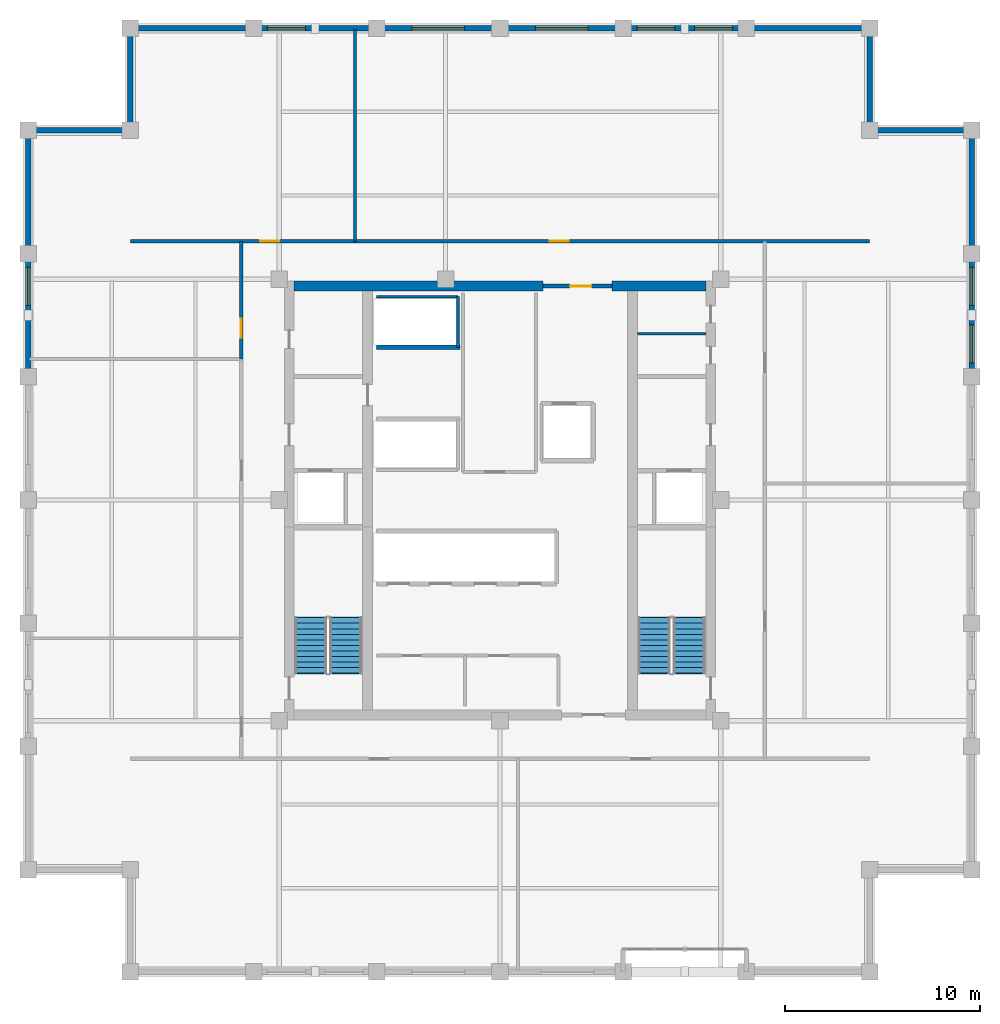
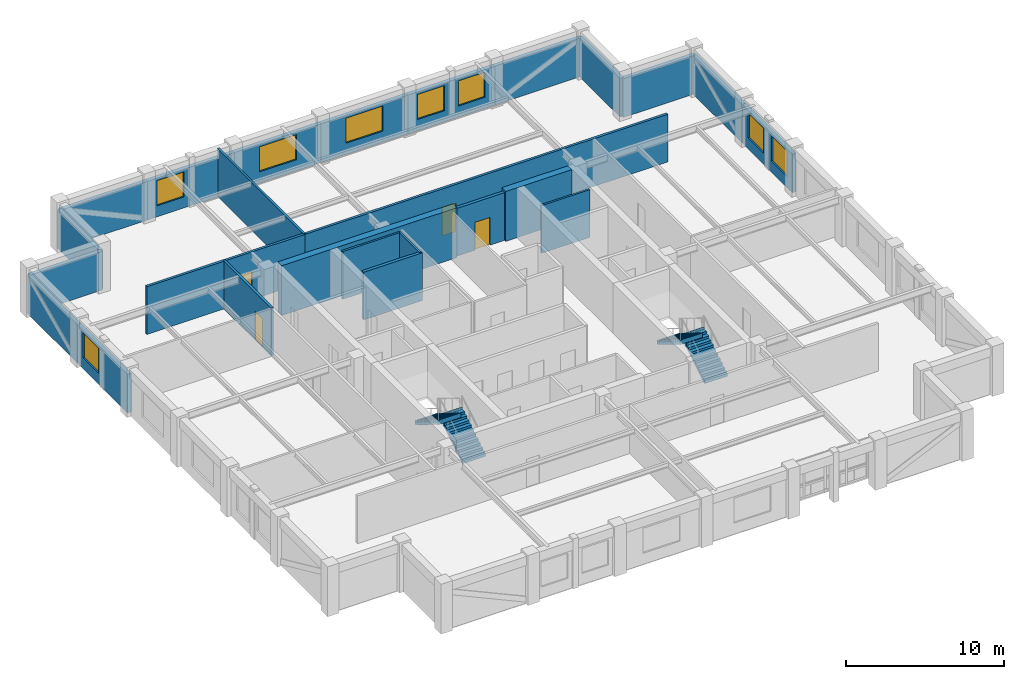
# One storey, part 8 of 10: 25 walls, 8 windows, 4 doors, 4 stair flights, 12 openings, 2 elements without a shape of their own.
"""IFC4 building model written with IfcOpenShell, lengths in metres."""

from ifc_helpers import new_model, si_unit, direction, frame, frame_2d, origin, place, context, subcontext, project, spatial, polyline, rectangle, outline, extrude, material, layer, layer_set, type_object, element, fill, aggregate, save


model = new_model("IFC4")

# Units and contexts
model_context = context("Model", 3, precision=1e-05, world=origin(), true_north=direction((0.0, 1.0)))
body_context = subcontext(model_context, "Body", "Model", "MODEL_VIEW")
ifc_project = project(units=[si_unit("LENGTHUNIT", "METRE"), si_unit("AREAUNIT", "SQUARE_METRE"), si_unit("VOLUMEUNIT", "CUBIC_METRE"), si_unit("PLANEANGLEUNIT", "RADIAN"), si_unit("MASSUNIT", "GRAM", prefix="KILO")], contexts=[model_context])

# Site, building, storey
site_placement = place(None, origin())
site = spatial("IfcSite", under=ifc_project, at=site_placement, CompositionType="ELEMENT")
building_placement = place(site_placement, origin())
building = spatial("IfcBuilding", under=site, at=building_placement, Name="Nhamokura Convention Tower", CompositionType="ELEMENT")
storey_placement = place(building_placement, frame((0.0, 0.0, 210.0)))
storey = spatial("IfcBuildingStorey", under=building, at=storey_placement, Name="L51", CompositionType="ELEMENT", Elevation=210.0)

# Walls
ifc_material_1 = material(Name="Moisture-resistant tile-backer partition", Category="masonry")
ifc_layer_1 = layer(ifc_material_1, 0.139892578125)
ifc_layer_set_1 = layer_set([ifc_layer_1], Name="BathroomWetWall_140")
wall_type_1 = type_object("IfcWallType", Name="BathroomWetWall_140", PredefinedType="STANDARD", material=ifc_layer_set_1)
wall_1_placement = place(storey_placement, frame((39.06005859375, 40.550048828125, 0.0), z_axis=(0.0, 0.0, 1.0), x_axis=(1.0, 0.0, 0.0)))
element("IfcWall", 1, at=wall_1_placement, inside=storey, type_object=wall_type_1, Name="L51 Wall INT-L51-CWNE", PredefinedType="STANDARD", context=body_context, shape_type="SweptSolid", body=[
    extrude(rectangle(XDim=3.530029296875, YDim=0.139892578125, at=frame_2d((1.76513671875, 0.0))), origin(), (0.0, 0.0, 1.0), 3.68505859375),
])
ifc_material_2 = material(Name="Bronze-pigmented precast concrete C45/55", Category="concrete")
ifc_layer_2 = layer(ifc_material_2, 0.280029296875)
ifc_layer_set_2 = layer_set([ifc_layer_2], Name="BronzePrecastSpandrel_280")
wall_type_2 = type_object("IfcWallType", Name="BronzePrecastSpandrel_280", PredefinedType="USERDEFINED", material=ifc_layer_set_2)
wall_2_placement = place(storey_placement, frame((13.0, 56.25, 0.0), z_axis=(0.0, 0.0, 1.0), x_axis=(1.0, 0.0, 0.0)))
element("IfcWall", 2, at=wall_2_placement, inside=storey, type_object=wall_type_2, Name="L51 Braced-Bay Precast Wall NORTH 0", ObjectType="SPANDREL_WALL", PredefinedType="USERDEFINED", context=body_context, shape_type="SweptSolid", body=[
    extrude(rectangle(XDim=6.333251953125, YDim=0.280029296875, at=frame_2d((3.16650390625, 0.0))), origin(), (0.0, 0.0, 1.0), 2.985107421875),
])

# Wall, opening, window
wall_3_placement = place(storey_placement, frame((19.333251953125, 56.25, 0.0), z_axis=(0.0, 0.0, 1.0), x_axis=(1.0, 0.0, 0.0)))
wall_3 = element("IfcWall", 3, at=wall_3_placement, inside=storey, type_object=wall_type_2, Name="L51 Masonry-Frame Wall NORTH 1", ObjectType="SPANDREL_WALL", PredefinedType="USERDEFINED", context=body_context, shape_type="SweptSolid", body=[
    extrude(rectangle(XDim=6.33349609375, YDim=0.280029296875, at=frame_2d((3.166748046875, 0.0))), origin(), (0.0, 0.0, 1.0), 2.985107421875),
])
opening_1_placement = place(wall_3_placement, frame((0.708251953125, 0.0, 0.85009765625)))
opening_1 = element("IfcOpeningElement", 4, at=opening_1_placement, cuts=wall_3, Name="Opening W-08", PredefinedType="OPENING", context=body_context, shape_type="SweptSolid", body=[
    extrude(rectangle(XDim=1.949951171875, YDim=1.93505859375, at=frame_2d((0.97509765625, 0.967529296875))), frame((0.0, 0.14990234375, 0.0), z_axis=(0.0, -1.0, 0.0), x_axis=(1.0, 0.0, 0.0)), (0.0, 0.0, 1.0), 0.300048828125),
])
ifc_material_3 = material(Name="Solar-control bronze low-E double glass", Category="glass")
window_type_1 = type_object("IfcWindowType", Name="OfficeModuleWindow_Z3_1950", PartitioningType="SINGLE_PANEL", PredefinedType="WINDOW", material=ifc_material_3)
window_1_placement = place(opening_1_placement, origin())
window_1 = element("IfcWindow", 5, at=window_1_placement, inside=storey, type_object=window_type_1, Name="L51 Facade Window NORTH 1-1", OverallHeight=1.93505859375, OverallWidth=1.949951171875, PartitioningType="SINGLE_PANEL", PredefinedType="WINDOW", context=body_context, shape_type="SweptSolid", body=[
    extrude(rectangle(XDim=1.949951171875, YDim=1.93505859375, at=frame_2d((0.97509765625, 0.967529296875))), frame((0.0, 0.030029296875, 0.0), z_axis=(0.0, -1.0, 0.0), x_axis=(1.0, 0.0, 0.0)), (0.0, 0.0, 1.0), 0.06005859375),
])
fill(opening_1, window_1)

wall_4_placement = place(storey_placement, frame((25.666748046875, 56.25, 0.0), z_axis=(0.0, 0.0, 1.0), x_axis=(1.0, 0.0, 0.0)))
wall_4 = element("IfcWall", 6, at=wall_4_placement, inside=storey, type_object=wall_type_2, Name="L51 Masonry-Frame Wall NORTH 2", ObjectType="SPANDREL_WALL", PredefinedType="USERDEFINED", context=body_context, shape_type="SweptSolid", body=[
    extrude(rectangle(XDim=6.333251953125, YDim=0.280029296875, at=frame_2d((3.16650390625, 0.0))), origin(), (0.0, 0.0, 1.0), 2.985107421875),
])
opening_2_placement = place(wall_4_placement, frame((1.816650390625, 0.0, 0.85009765625)))
opening_2 = element("IfcOpeningElement", 7, at=opening_2_placement, cuts=wall_4, Name="Opening W-07", PredefinedType="OPENING", context=body_context, shape_type="SweptSolid", body=[
    extrude(rectangle(XDim=2.699951171875, YDim=1.93505859375, at=frame_2d((1.35009765625, 0.967529296875))), frame((0.0, 0.14990234375, 0.0), z_axis=(0.0, -1.0, 0.0), x_axis=(1.0, 0.0, 0.0)), (0.0, 0.0, 1.0), 0.300048828125),
])
ifc_material_4 = material(Name="Solar-control bronze low-E double glass", Category="glass")
window_type_2 = type_object("IfcWindowType", Name="OfficeModuleWindow_Z3_2700", PartitioningType="DOUBLE_PANEL_VERTICAL", PredefinedType="WINDOW", material=ifc_material_4)
window_2_placement = place(opening_2_placement, origin())
window_2 = element("IfcWindow", 8, at=window_2_placement, inside=storey, type_object=window_type_2, Name="L51 Facade Window NORTH 2", OverallHeight=1.93505859375, OverallWidth=2.699951171875, PartitioningType="SINGLE_PANEL", PredefinedType="WINDOW", context=body_context, shape_type="SweptSolid", body=[
    extrude(rectangle(XDim=2.699951171875, YDim=1.93505859375, at=frame_2d((1.35009765625, 0.967529296875))), frame((0.0, 0.030029296875, 0.0), z_axis=(0.0, -1.0, 0.0), x_axis=(1.0, 0.0, 0.0)), (0.0, 0.0, 1.0), 0.06005859375),
])
fill(opening_2, window_2)

wall_5_placement = place(storey_placement, frame((32.0, 56.25, 0.0), z_axis=(0.0, 0.0, 1.0), x_axis=(1.0, 0.0, 0.0)))
wall_5 = element("IfcWall", 9, at=wall_5_placement, inside=storey, type_object=wall_type_2, Name="L51 Masonry-Frame Wall NORTH 3", ObjectType="SPANDREL_WALL", PredefinedType="USERDEFINED", context=body_context, shape_type="SweptSolid", body=[
    extrude(rectangle(XDim=6.333251953125, YDim=0.280029296875, at=frame_2d((3.16650390625, 0.0))), origin(), (0.0, 0.0, 1.0), 2.985107421875),
])
opening_3_placement = place(wall_5_placement, frame((1.816650390625, 0.0, 0.85009765625)))
opening_3 = element("IfcOpeningElement", 10, at=opening_3_placement, cuts=wall_5, Name="Opening W-07", PredefinedType="OPENING", context=body_context, shape_type="SweptSolid", body=[
    extrude(rectangle(XDim=2.699951171875, YDim=1.93505859375, at=frame_2d((1.35009765625, 0.967529296875))), frame((0.0, 0.14990234375, 0.0), z_axis=(0.0, -1.0, 0.0), x_axis=(1.0, 0.0, 0.0)), (0.0, 0.0, 1.0), 0.300048828125),
])
window_3_placement = place(opening_3_placement, origin())
window_3 = element("IfcWindow", 11, at=window_3_placement, inside=storey, type_object=window_type_2, Name="L51 Facade Window NORTH 3", OverallHeight=1.93505859375, OverallWidth=2.699951171875, PartitioningType="SINGLE_PANEL", PredefinedType="WINDOW", context=body_context, shape_type="SweptSolid", body=[
    extrude(rectangle(XDim=2.699951171875, YDim=1.93505859375, at=frame_2d((1.35009765625, 0.967529296875))), frame((0.0, 0.030029296875, 0.0), z_axis=(0.0, -1.0, 0.0), x_axis=(1.0, 0.0, 0.0)), (0.0, 0.0, 1.0), 0.06005859375),
])
fill(opening_3, window_3)

# Wall, openings, windows
wall_6_placement = place(storey_placement, frame((38.333251953125, 56.25, 0.0), z_axis=(0.0, 0.0, 1.0), x_axis=(1.0, 0.0, 0.0)))
wall_6 = element("IfcWall", 12, at=wall_6_placement, inside=storey, type_object=wall_type_2, Name="L51 Masonry-Frame Wall NORTH 4", ObjectType="SPANDREL_WALL", PredefinedType="USERDEFINED", context=body_context, shape_type="SweptSolid", body=[
    extrude(rectangle(XDim=6.33349609375, YDim=0.280029296875, at=frame_2d((3.166748046875, 0.0))), origin(), (0.0, 0.0, 1.0), 2.985107421875),
])
opening_4_placement = place(wall_6_placement, frame((0.708251953125, 0.0, 0.85009765625)))
opening_4 = element("IfcOpeningElement", 13, at=opening_4_placement, cuts=wall_6, Name="Opening W-08", PredefinedType="OPENING", context=body_context, shape_type="SweptSolid", body=[
    extrude(rectangle(XDim=1.949951171875, YDim=1.93505859375, at=frame_2d((0.97509765625, 0.967529296875))), frame((0.0, 0.14990234375, 0.0), z_axis=(0.0, -1.0, 0.0), x_axis=(1.0, 0.0, 0.0)), (0.0, 0.0, 1.0), 0.300048828125),
])
opening_5_placement = place(wall_6_placement, frame((3.675048828125, 0.0, 0.85009765625)))
opening_5 = element("IfcOpeningElement", 14, at=opening_5_placement, cuts=wall_6, Name="Opening W-08", PredefinedType="OPENING", context=body_context, shape_type="SweptSolid", body=[
    extrude(rectangle(XDim=1.949951171875, YDim=1.93505859375, at=frame_2d((0.97509765625, 0.967529296875))), frame((0.0, 0.14990234375, 0.0), z_axis=(0.0, -1.0, 0.0), x_axis=(1.0, 0.0, 0.0)), (0.0, 0.0, 1.0), 0.300048828125),
])
window_4_placement = place(opening_4_placement, origin())
window_4 = element("IfcWindow", 15, at=window_4_placement, inside=storey, type_object=window_type_1, Name="L51 Facade Window NORTH 4-1", OverallHeight=1.93505859375, OverallWidth=1.949951171875, PartitioningType="SINGLE_PANEL", PredefinedType="WINDOW", context=body_context, shape_type="SweptSolid", body=[
    extrude(rectangle(XDim=1.949951171875, YDim=1.93505859375, at=frame_2d((0.97509765625, 0.967529296875))), frame((0.0, 0.030029296875, 0.0), z_axis=(0.0, -1.0, 0.0), x_axis=(1.0, 0.0, 0.0)), (0.0, 0.0, 1.0), 0.06005859375),
])
fill(opening_4, window_4)
window_5_placement = place(opening_5_placement, origin())
window_5 = element("IfcWindow", 16, at=window_5_placement, inside=storey, type_object=window_type_1, Name="L51 Facade Window NORTH 4-2", OverallHeight=1.93505859375, OverallWidth=1.949951171875, PartitioningType="SINGLE_PANEL", PredefinedType="WINDOW", context=body_context, shape_type="SweptSolid", body=[
    extrude(rectangle(XDim=1.949951171875, YDim=1.93505859375, at=frame_2d((0.97509765625, 0.967529296875))), frame((0.0, 0.030029296875, 0.0), z_axis=(0.0, -1.0, 0.0), x_axis=(1.0, 0.0, 0.0)), (0.0, 0.0, 1.0), 0.06005859375),
])
fill(opening_5, window_5)

# Wall
wall_7_placement = place(storey_placement, frame((44.666748046875, 56.25, 0.0), z_axis=(0.0, 0.0, 1.0), x_axis=(1.0, 0.0, 0.0)))
element("IfcWall", 17, at=wall_7_placement, inside=storey, type_object=wall_type_2, Name="L51 Braced-Bay Precast Wall NORTH 5", ObjectType="SPANDREL_WALL", PredefinedType="USERDEFINED", context=body_context, shape_type="SweptSolid", body=[
    extrude(rectangle(XDim=6.333251953125, YDim=0.280029296875, at=frame_2d((3.16650390625, 0.0))), origin(), (0.0, 0.0, 1.0), 2.985107421875),
])

# Wall, opening, window
wall_8_placement = place(storey_placement, frame((7.75, 38.333251953125, 0.0), z_axis=(0.0, 0.0, 1.0), x_axis=(0.0, 1.0, 0.0)))
wall_8 = element("IfcWall", 18, at=wall_8_placement, inside=storey, type_object=wall_type_2, Name="L51 Masonry-Frame Wall WEST 4", ObjectType="SPANDREL_WALL", PredefinedType="USERDEFINED", context=body_context, shape_type="SweptSolid", body=[
    extrude(rectangle(XDim=6.33349609375, YDim=0.280029296875, at=frame_2d((3.166748046875, 0.0))), origin(), (0.0, 0.0, 1.0), 2.985107421875),
])
opening_6_placement = place(wall_8_placement, frame((3.675048828125, 0.0, 0.85009765625)))
opening_6 = element("IfcOpeningElement", 19, at=opening_6_placement, cuts=wall_8, Name="Opening W-08", PredefinedType="OPENING", context=body_context, shape_type="SweptSolid", body=[
    extrude(rectangle(XDim=1.949951171875, YDim=1.93505859375, at=frame_2d((0.97509765625, 0.967529296875))), frame((0.0, 0.14990234375, 0.0), z_axis=(0.0, -1.0, 0.0), x_axis=(1.0, 0.0, 0.0)), (0.0, 0.0, 1.0), 0.300048828125),
])
window_6_placement = place(opening_6_placement, origin())
window_6 = element("IfcWindow", 20, at=window_6_placement, inside=storey, type_object=window_type_1, Name="L51 Facade Window WEST 4-2", OverallHeight=1.93505859375, OverallWidth=1.949951171875, PartitioningType="SINGLE_PANEL", PredefinedType="WINDOW", context=body_context, shape_type="SweptSolid", body=[
    extrude(rectangle(XDim=1.949951171875, YDim=1.93505859375, at=frame_2d((0.97509765625, 0.967529296875))), frame((0.0, 0.030029296875, 0.0), z_axis=(0.0, -1.0, 0.0), x_axis=(1.0, 0.0, 0.0)), (0.0, 0.0, 1.0), 0.06005859375),
])
fill(opening_6, window_6)

# Wall
wall_9_placement = place(storey_placement, frame((7.75, 44.666748046875, 0.0), z_axis=(0.0, 0.0, 1.0), x_axis=(0.0, 1.0, 0.0)))
element("IfcWall", 21, at=wall_9_placement, inside=storey, type_object=wall_type_2, Name="L51 Braced-Bay Precast Wall WEST 5", ObjectType="SPANDREL_WALL", PredefinedType="USERDEFINED", context=body_context, shape_type="SweptSolid", body=[
    extrude(rectangle(XDim=6.333251953125, YDim=0.280029296875, at=frame_2d((3.16650390625, 0.0))), origin(), (0.0, 0.0, 1.0), 2.985107421875),
])

# Wall, openings, windows
wall_10_placement = place(storey_placement, frame((56.25, 44.666748046875, 0.0), z_axis=(0.0, 0.0, 1.0), x_axis=(0.0, -1.0, 0.0)))
wall_10 = element("IfcWall", 22, at=wall_10_placement, inside=storey, type_object=wall_type_2, Name="L51 Masonry-Frame Wall EAST 4", ObjectType="SPANDREL_WALL", PredefinedType="USERDEFINED", context=body_context, shape_type="SweptSolid", body=[
    extrude(rectangle(XDim=6.33349609375, YDim=0.280029296875, at=frame_2d((3.166748046875, 0.0))), origin(), (0.0, 0.0, 1.0), 2.985107421875),
])
opening_7_placement = place(wall_10_placement, frame((0.708251953125, 0.0, 0.85009765625)))
opening_7 = element("IfcOpeningElement", 23, at=opening_7_placement, cuts=wall_10, Name="Opening W-08", PredefinedType="OPENING", context=body_context, shape_type="SweptSolid", body=[
    extrude(rectangle(XDim=1.949951171875, YDim=1.93505859375, at=frame_2d((0.97509765625, 0.967529296875))), frame((0.0, 0.14990234375, 0.0), z_axis=(0.0, -1.0, 0.0), x_axis=(1.0, 0.0, 0.0)), (0.0, 0.0, 1.0), 0.300048828125),
])
opening_8_placement = place(wall_10_placement, frame((3.675048828125, 0.0, 0.85009765625)))
opening_8 = element("IfcOpeningElement", 24, at=opening_8_placement, cuts=wall_10, Name="Opening W-08", PredefinedType="OPENING", context=body_context, shape_type="SweptSolid", body=[
    extrude(rectangle(XDim=1.949951171875, YDim=1.93505859375, at=frame_2d((0.97509765625, 0.967529296875))), frame((0.0, 0.14990234375, 0.0), z_axis=(0.0, -1.0, 0.0), x_axis=(1.0, 0.0, 0.0)), (0.0, 0.0, 1.0), 0.300048828125),
])
window_7_placement = place(opening_7_placement, origin())
window_7 = element("IfcWindow", 25, at=window_7_placement, inside=storey, type_object=window_type_1, Name="L51 Facade Window EAST 4-1", OverallHeight=1.93505859375, OverallWidth=1.949951171875, PartitioningType="SINGLE_PANEL", PredefinedType="WINDOW", context=body_context, shape_type="SweptSolid", body=[
    extrude(rectangle(XDim=1.949951171875, YDim=1.93505859375, at=frame_2d((0.97509765625, 0.967529296875))), frame((0.0, 0.030029296875, 0.0), z_axis=(0.0, -1.0, 0.0), x_axis=(1.0, 0.0, 0.0)), (0.0, 0.0, 1.0), 0.06005859375),
])
fill(opening_7, window_7)
window_8_placement = place(opening_8_placement, origin())
window_8 = element("IfcWindow", 26, at=window_8_placement, inside=storey, type_object=window_type_1, Name="L51 Facade Window EAST 4-2", OverallHeight=1.93505859375, OverallWidth=1.949951171875, PartitioningType="SINGLE_PANEL", PredefinedType="WINDOW", context=body_context, shape_type="SweptSolid", body=[
    extrude(rectangle(XDim=1.949951171875, YDim=1.93505859375, at=frame_2d((0.97509765625, 0.967529296875))), frame((0.0, 0.030029296875, 0.0), z_axis=(0.0, -1.0, 0.0), x_axis=(1.0, 0.0, 0.0)), (0.0, 0.0, 1.0), 0.06005859375),
])
fill(opening_8, window_8)

# Walls
wall_11_placement = place(storey_placement, frame((56.25, 51.0, 0.0), z_axis=(0.0, 0.0, 1.0), x_axis=(0.0, -1.0, 0.0)))
element("IfcWall", 27, at=wall_11_placement, inside=storey, type_object=wall_type_2, Name="L51 Braced-Bay Precast Wall EAST 5", ObjectType="SPANDREL_WALL", PredefinedType="USERDEFINED", context=body_context, shape_type="SweptSolid", body=[
    extrude(rectangle(XDim=6.333251953125, YDim=0.280029296875, at=frame_2d((3.16650390625, 0.0))), origin(), (0.0, 0.0, 1.0), 2.985107421875),
])
for number, where, z_axis, x_axis, name in (
    (28, (51.0, 51.0, 0.0), (0.0, 0.0, 1.0), (1.0, 0.0, 0.0), "L51 Notched Corner Wall NE1"),
    (29, (51.0, 56.25, 0.0), (0.0, 0.0, 1.0), (0.0, -1.0, 0.0), "L51 Notched Corner Wall NE2"),
    (30, (13.0, 51.0, 0.0), (0.0, 0.0, 1.0), (0.0, 1.0, 0.0), "L51 Notched Corner Wall NW1"),
    (31, (7.75, 51.0, 0.0), (0.0, 0.0, 1.0), (1.0, 0.0, 0.0), "L51 Notched Corner Wall NW2"),
):
    element("IfcWall", number, at=place(storey_placement, frame(where, z_axis=z_axis, x_axis=x_axis)), inside=storey, type_object=wall_type_2, Name=name, ObjectType="SPANDREL_WALL", PredefinedType="USERDEFINED", context=body_context, shape_type="SweptSolid", body=[
        extrude(rectangle(XDim=5.25, YDim=0.280029296875, at=frame_2d((2.625, 0.0))), origin(), (0.0, 0.0, 1.0), 2.985107421875),
    ])
ifc_material_5 = material(Name="Concrete C60/75", Category="concrete")
ifc_layer_3 = layer(ifc_material_5, 0.5)
ifc_layer_set_3 = layer_set([ifc_layer_3], Name="CoreShearWall_500")
wall_type_3 = type_object("IfcWallType", Name="CoreShearWall_500", PredefinedType="SHEAR", material=ifc_layer_set_3)
wall_12_placement = place(storey_placement, frame((21.409912109375, 43.0, 0.0), z_axis=(0.0, 0.0, 1.0), x_axis=(1.0, 0.0, 0.0)))
element("IfcWall", 32, at=wall_12_placement, inside=storey, type_object=wall_type_3, Name="L51 Core Shear Wall CW-N1", PredefinedType="SHEAR", context=body_context, shape_type="SweptSolid", body=[
    extrude(rectangle(XDim=12.7900390625, YDim=0.5, at=frame_2d((6.39501953125, 0.0))), origin(), (0.0, 0.0, 1.0), 3.85009765625),
])
wall_13_placement = place(storey_placement, frame((37.75, 43.0, 0.0), z_axis=(0.0, 0.0, 1.0), x_axis=(1.0, 0.0, 0.0)))
element("IfcWall", 33, at=wall_13_placement, inside=storey, type_object=wall_type_3, Name="L51 Core Shear Wall CW-N2", PredefinedType="SHEAR", context=body_context, shape_type="SweptSolid", body=[
    extrude(rectangle(XDim=4.840087890625, YDim=0.5, at=frame_2d((2.419921875, 0.0))), origin(), (0.0, 0.0, 1.0), 3.85009765625),
])

# Wall, opening, door
ifc_material_6 = material(Name="Fire-rated gypsum and masonry partition", Category="masonry")
ifc_layer_4 = layer(ifc_material_6, 0.179931640625)
ifc_layer_set_4 = layer_set([ifc_layer_4], Name="CorridorRatedWall_180")
wall_type_4 = type_object("IfcWallType", Name="CorridorRatedWall_180", PredefinedType="STANDARD", material=ifc_layer_set_4)
wall_14_placement = place(storey_placement, frame((13.0, 45.300048828125, 0.0), z_axis=(0.0, 0.0, 1.0), x_axis=(1.0, 0.0, 0.0)))
wall_14 = element("IfcWall", 34, at=wall_14_placement, inside=storey, type_object=wall_type_4, Name="L51 Wall INT-L51-CW-N00", PredefinedType="STANDARD", context=body_context, shape_type="SweptSolid", body=[
    extrude(rectangle(XDim=11.541748046875, YDim=0.179931640625, at=frame_2d((5.77099609375, 0.0))), origin(), (0.0, 0.0, 1.0), 3.68505859375),
])
opening_9_placement = place(wall_14_placement, frame((6.6708984375, 0.0, 0.0)))
opening_9 = element("IfcOpeningElement", 35, at=opening_9_placement, cuts=wall_14, Name="Opening D-08", PredefinedType="OPENING", context=body_context, shape_type="SweptSolid", body=[
    extrude(rectangle(XDim=0.97998046875, YDim=2.199951171875, at=frame_2d((0.489990234375, 1.10009765625))), frame((0.0, 0.099853515625, 0.0), z_axis=(0.0, -1.0, 0.0), x_axis=(1.0, 0.0, 0.0)), (0.0, 0.0, 1.0), 0.199951171875),
])
ifc_material_7 = material(Name="Solid oak hardwood", Category="wood")
door_type_1 = type_object("IfcDoorType", Name="OfficeEntryDoor_980", OperationType="NOTDEFINED", PredefinedType="DOOR", material=ifc_material_7)
door_1_placement = place(opening_9_placement, origin())
door_1 = element("IfcDoor", 36, at=door_1_placement, inside=storey, type_object=door_type_1, Name="L51 Exhibition Gallery N01 Door", OperationType="SINGLE_SWING_LEFT", OverallHeight=2.199951171875, OverallWidth=0.97998046875, PredefinedType="DOOR", context=body_context, shape_type="SweptSolid", body=[
    extrude(rectangle(XDim=0.97998046875, YDim=2.199951171875, at=frame_2d((0.489990234375, 1.10009765625))), frame((0.0, 0.02490234375, 0.0), z_axis=(0.0, -1.0, 0.0), x_axis=(1.0, 0.0, 0.0)), (0.0, 0.0, 1.0), 0.050048828125),
])
fill(opening_9, door_1)

wall_15_placement = place(storey_placement, frame((24.541748046875, 45.300048828125, 0.0), z_axis=(0.0, 0.0, 1.0), x_axis=(1.0, 0.0, 0.0)))
wall_15 = element("IfcWall", 37, at=wall_15_placement, inside=storey, type_object=wall_type_4, Name="L51 Wall INT-L51-CW-N01", PredefinedType="STANDARD", context=body_context, shape_type="SweptSolid", body=[
    extrude(rectangle(XDim=26.458251953125, YDim=0.179931640625, at=frame_2d((13.22900390625, 0.0))), origin(), (0.0, 0.0, 1.0), 3.68505859375),
])
opening_10_placement = place(wall_15_placement, frame((10.004150390625, 0.0, 0.0)))
opening_10 = element("IfcOpeningElement", 38, at=opening_10_placement, cuts=wall_15, Name="Opening D-08", PredefinedType="OPENING", context=body_context, shape_type="SweptSolid", body=[
    extrude(rectangle(XDim=0.97998046875, YDim=2.199951171875, at=frame_2d((0.489990234375, 1.10009765625))), frame((0.0, 0.099853515625, 0.0), z_axis=(0.0, -1.0, 0.0), x_axis=(1.0, 0.0, 0.0)), (0.0, 0.0, 1.0), 0.199951171875),
])
door_2_placement = place(opening_10_placement, origin())
door_2 = element("IfcDoor", 39, at=door_2_placement, inside=storey, type_object=door_type_1, Name="L51 Exhibition Gallery N02 Door", OperationType="SINGLE_SWING_RIGHT", OverallHeight=2.199951171875, OverallWidth=0.97998046875, PredefinedType="DOOR", context=body_context, shape_type="SweptSolid", body=[
    extrude(rectangle(XDim=0.97998046875, YDim=2.199951171875, at=frame_2d((0.489990234375, 1.10009765625))), frame((0.0, 0.02490234375, 0.0), z_axis=(0.0, -1.0, 0.0), x_axis=(1.0, 0.0, 0.0)), (0.0, 0.0, 1.0), 0.050048828125),
])
fill(opening_10, door_2)

wall_16_placement = place(storey_placement, frame((18.699951171875, 39.25830078125, 0.0), z_axis=(0.0, 0.0, 1.0), x_axis=(0.0, 1.0, 0.0)))
wall_16 = element("IfcWall", 40, at=wall_16_placement, inside=storey, type_object=wall_type_4, Name="L51 Wall INT-L51-CW-W02", PredefinedType="STANDARD", context=body_context, shape_type="SweptSolid", body=[
    extrude(rectangle(XDim=6.041748046875, YDim=0.179931640625, at=frame_2d((3.02099609375, 0.0))), origin(), (0.0, 0.0, 1.0), 3.68505859375),
])
opening_11_placement = place(wall_16_placement, frame((1.07080078125, 0.0, 0.0)))
opening_11 = element("IfcOpeningElement", 41, at=opening_11_placement, cuts=wall_16, Name="Opening D-08", PredefinedType="OPENING", context=body_context, shape_type="SweptSolid", body=[
    extrude(rectangle(XDim=0.97998046875, YDim=2.199951171875, at=frame_2d((0.489990234375, 1.10009765625))), frame((0.0, 0.099853515625, 0.0), z_axis=(0.0, -1.0, 0.0), x_axis=(1.0, 0.0, 0.0)), (0.0, 0.0, 1.0), 0.199951171875),
])
door_3_placement = place(opening_11_placement, origin())
door_3 = element("IfcDoor", 42, at=door_3_placement, inside=storey, type_object=door_type_1, Name="L51 Materials Library W03 Door", OperationType="SINGLE_SWING_LEFT", OverallHeight=2.199951171875, OverallWidth=0.97998046875, PredefinedType="DOOR", context=body_context, shape_type="SweptSolid", body=[
    extrude(rectangle(XDim=0.97998046875, YDim=2.199951171875, at=frame_2d((0.489990234375, 1.10009765625))), frame((0.0, 0.02490234375, 0.0), z_axis=(0.0, -1.0, 0.0), x_axis=(1.0, 0.0, 0.0)), (0.0, 0.0, 1.0), 0.050048828125),
])
fill(opening_11, door_3)

# Wall
ifc_material_8 = material(Name="Autoclaved concrete blockwork", Category="masonry")
ifc_layer_5 = layer(ifc_material_8, 0.219970703125)
ifc_layer_set_5 = layer_set([ifc_layer_5], Name="FireLobbyWall_220")
wall_type_5 = type_object("IfcWallType", Name="FireLobbyWall_220", PredefinedType="STANDARD", material=ifc_layer_set_5)
wall_17_placement = place(storey_placement, frame((25.64990234375, 39.85009765625, 0.0), z_axis=(0.0, 0.0, 1.0), x_axis=(1.0, 0.0, 0.0)))
element("IfcWall", 43, at=wall_17_placement, inside=storey, type_object=wall_type_5, Name="L51 Wall INT-L51-B3N", PredefinedType="STANDARD", context=body_context, shape_type="SweptSolid", body=[
    extrude(rectangle(XDim=4.300048828125, YDim=0.219970703125, at=frame_2d((2.14990234375, 0.0))), origin(), (0.0, 0.0, 1.0), 3.68505859375),
])

# Wall, opening, door
wall_18_placement = place(storey_placement, frame((34.199951171875, 43.0, 0.0), z_axis=(0.0, 0.0, 1.0), x_axis=(1.0, 0.0, 0.0)))
wall_18 = element("IfcWall", 44, at=wall_18_placement, inside=storey, type_object=wall_type_5, Name="L51 Wall INT-L51-CPORT-N", PredefinedType="STANDARD", context=body_context, shape_type="SweptSolid", body=[
    extrude(rectangle(XDim=3.550048828125, YDim=0.219970703125, at=frame_2d((1.77490234375, 0.0))), origin(), (0.0, 0.0, 1.0), 3.68505859375),
])
opening_12_placement = place(wall_18_placement, frame((1.39990234375, 0.0, 0.0)))
opening_12 = element("IfcOpeningElement", 45, at=opening_12_placement, cuts=wall_18, Name="Opening D-05", PredefinedType="OPENING", context=body_context, shape_type="SweptSolid", body=[
    extrude(rectangle(XDim=1.10009765625, YDim=2.14990234375, at=frame_2d((0.550048828125, 1.074951171875))), frame((0.0, 0.119873046875, 0.0), z_axis=(0.0, -1.0, 0.0), x_axis=(1.0, 0.0, 0.0)), (0.0, 0.0, 1.0), 0.239990234375),
])
ifc_material_9 = material(Name="Fire-rated steel door", Category="steel")
door_type_2 = type_object("IfcDoorType", Name="FireLobbyDoor_1100", OperationType="NOTDEFINED", PredefinedType="DOOR", material=ifc_material_9)
door_4_placement = place(opening_12_placement, origin())
door_4 = element("IfcDoor", 46, at=door_4_placement, inside=storey, type_object=door_type_2, Name="L51 North Core Lobby Portal Door", OperationType="SINGLE_SWING_RIGHT", OverallHeight=2.14990234375, OverallWidth=1.10009765625, PredefinedType="DOOR", context=body_context, shape_type="SweptSolid", body=[
    extrude(rectangle(XDim=1.10009765625, YDim=2.14990234375, at=frame_2d((0.550048828125, 1.074951171875))), frame((0.0, 0.02490234375, 0.0), z_axis=(0.0, -1.0, 0.0), x_axis=(1.0, 0.0, 0.0)), (0.0, 0.0, 1.0), 0.050048828125),
])
fill(opening_12, door_4)

# Walls
ifc_material_10 = material(Name="Acoustic gypsum stud partition", Category="masonry")
ifc_layer_6 = layer(ifc_material_10, 0.14990234375)
ifc_layer_set_6 = layer_set([ifc_layer_6], Name="InteriorPartition_150")
wall_type_6 = type_object("IfcWallType", Name="InteriorPartition_150", PredefinedType="STANDARD", material=ifc_layer_set_6)
wall_19_placement = place(storey_placement, frame((25.64990234375, 42.449951171875, 0.0), z_axis=(0.0, 0.0, 1.0), x_axis=(1.0, 0.0, 0.0)))
element("IfcWall", 47, at=wall_19_placement, inside=storey, type_object=wall_type_6, Name="L51 Wall INT-L51-B3B-N", PredefinedType="STANDARD", context=body_context, shape_type="SweptSolid", body=[
    extrude(rectangle(XDim=4.2001953125, YDim=0.14990234375, at=frame_2d((2.10009765625, 0.0))), origin(), (0.0, 0.0, 1.0), 3.68505859375),
])
wall_20_placement = place(storey_placement, frame((29.85009765625, 39.85009765625, 0.0), z_axis=(0.0, 0.0, 1.0), x_axis=(0.0, 1.0, 0.0)))
element("IfcWall", 48, at=wall_20_placement, inside=storey, type_object=wall_type_6, Name="L51 Wall INT-L51-B3B-E", PredefinedType="STANDARD", context=body_context, shape_type="SweptSolid", body=[
    extrude(rectangle(XDim=2.599853515625, YDim=0.14990234375, at=frame_2d((1.2998046875, 0.0))), origin(), (0.0, 0.0, 1.0), 3.68505859375),
])
wall_21_placement = place(storey_placement, frame((24.541748046875, 45.300048828125, 0.0), z_axis=(0.0, 0.0, 1.0), x_axis=(0.0, 1.0, 0.0)))
element("IfcWall", 49, at=wall_21_placement, inside=storey, type_object=wall_type_6, Name="L51 Wall INT-L51-RW-N01", PredefinedType="STANDARD", context=body_context, shape_type="SweptSolid", body=[
    extrude(rectangle(XDim=10.889892578125, YDim=0.14990234375, at=frame_2d((5.44482421875, 0.0))), origin(), (0.0, 0.0, 1.0), 3.68505859375),
])

# Stair, stair flights
ifc_material_11 = material(Name="Concrete C40/50", Category="concrete")
stair_type = type_object("IfcStairType", Name="TowerCoreStair_1650", PredefinedType="HALF_TURN_STAIR", material=ifc_material_11)
stair_1_placement = place(storey_placement, origin())
stair_1 = element("IfcStair", 50, at=stair_1_placement, inside=storey, type_object=stair_type, Name="L51 West Core Smokeproof Stair ST-01", PredefinedType="HALF_TURN_STAIR")
ifc_material_12 = material(Name="Concrete C40/50", Category="concrete")
stair_flight_type = type_object("IfcStairFlightType", Name="TowerCoreStair_1650_Flight", PredefinedType="STRAIGHT", material=ifc_material_12)
stair_flight_1_placement = place(storey_placement, frame((24.074951171875, 23.10009765625, 0.0), z_axis=(0.0, 0.0, 1.0), x_axis=(0.0, 1.0, 0.0)))
stair_flight_1 = element("IfcStairFlight", 51, at=stair_flight_1_placement, type_object=stair_flight_type, Name="ST-01 flight 1", NumberOfRisers=11, NumberOfTreads=10, PredefinedType="STRAIGHT", RiserHeight=0.175, TreadLength=0.285, context=body_context, shape_type="SweptSolid", body=[
    extrude(outline(polyline([(-0.0419921875, 0.0), (0.0, 0.175048828125), (0.284912109375, 0.175048828125), (0.284912109375, 0.35009765625), (0.570068359375, 0.35009765625), (0.570068359375, 0.52490234375), (0.85498046875, 0.52490234375), (0.85498046875, 0.699951171875), (1.139892578125, 0.699951171875), (1.139892578125, 0.875), (1.425048828125, 0.875), (1.425048828125, 1.050048828125), (1.7099609375, 1.050048828125), (1.7099609375, 1.22509765625), (1.9951171875, 1.22509765625), (1.9951171875, 1.39990234375), (2.280029296875, 1.39990234375), (2.280029296875, 1.574951171875), (2.56494140625, 1.574951171875), (2.56494140625, 1.75), (2.85009765625, 1.75), (2.85009765625, 1.925048828125), (2.89208984375, 1.925048828125), (2.89208984375, 1.573974609375), (2.85009765625, 1.573974609375), (0.286376953125, 0.0), (0.02001953125, -0.1298828125), (-0.0419921875, -0.1298828125), (-0.0419921875, 0.0)])), frame((0.0, 0.824951171875, 0.0), z_axis=(0.0, -1.0, 0.0), x_axis=(1.0, 0.0, 0.0)), (0.0, 0.0, 1.0), 1.64990234375),
])
stair_flight_2_placement = place(storey_placement, frame((22.27490234375, 25.949951171875, 1.925048828125), z_axis=(0.0, 0.0, 1.0), x_axis=(0.0, -1.0, 0.0)))
stair_flight_2 = element("IfcStairFlight", 52, at=stair_flight_2_placement, type_object=stair_flight_type, Name="ST-01 flight 2", NumberOfRisers=11, NumberOfTreads=10, PredefinedType="STRAIGHT", RiserHeight=0.175, TreadLength=0.285, context=body_context, shape_type="SweptSolid", body=[
    extrude(outline(polyline([(-0.0419921875, 0.0), (0.0, 0.175048828125), (0.284912109375, 0.175048828125), (0.284912109375, 0.35009765625), (0.570068359375, 0.35009765625), (0.570068359375, 0.52490234375), (0.85498046875, 0.52490234375), (0.85498046875, 0.699951171875), (1.139892578125, 0.699951171875), (1.139892578125, 0.875), (1.425048828125, 0.875), (1.425048828125, 1.050048828125), (1.7099609375, 1.050048828125), (1.7099609375, 1.22509765625), (1.9951171875, 1.22509765625), (1.9951171875, 1.39990234375), (2.280029296875, 1.39990234375), (2.280029296875, 1.574951171875), (2.56494140625, 1.574951171875), (2.56494140625, 1.75), (2.85009765625, 1.75), (2.85009765625, 1.925048828125), (2.89208984375, 1.925048828125), (2.89208984375, 1.573974609375), (2.85009765625, 1.573974609375), (0.286376953125, 0.0), (0.02001953125, -0.1298828125), (-0.0419921875, -0.1298828125), (-0.0419921875, 0.0)])), frame((0.0, 0.824951171875, 0.0), z_axis=(0.0, -1.0, 0.0), x_axis=(1.0, 0.0, 0.0)), (0.0, 0.0, 1.0), 1.64990234375),
])
aggregate(stair_1, [stair_flight_1, stair_flight_2])

stair_2_placement = place(storey_placement, origin())
stair_2 = element("IfcStair", 53, at=stair_2_placement, inside=storey, type_object=stair_type, Name="L51 East Core Smokeproof Stair ST-02", PredefinedType="HALF_TURN_STAIR")
stair_flight_3_placement = place(storey_placement, frame((41.72509765625, 23.10009765625, 0.0), z_axis=(0.0, 0.0, 1.0), x_axis=(0.0, 1.0, 0.0)))
stair_flight_3 = element("IfcStairFlight", 54, at=stair_flight_3_placement, type_object=stair_flight_type, Name="ST-02 flight 1", NumberOfRisers=11, NumberOfTreads=10, PredefinedType="STRAIGHT", RiserHeight=0.175, TreadLength=0.285, context=body_context, shape_type="SweptSolid", body=[
    extrude(outline(polyline([(-0.0419921875, 0.0), (0.0, 0.175048828125), (0.284912109375, 0.175048828125), (0.284912109375, 0.35009765625), (0.570068359375, 0.35009765625), (0.570068359375, 0.52490234375), (0.85498046875, 0.52490234375), (0.85498046875, 0.699951171875), (1.139892578125, 0.699951171875), (1.139892578125, 0.875), (1.425048828125, 0.875), (1.425048828125, 1.050048828125), (1.7099609375, 1.050048828125), (1.7099609375, 1.22509765625), (1.9951171875, 1.22509765625), (1.9951171875, 1.39990234375), (2.280029296875, 1.39990234375), (2.280029296875, 1.574951171875), (2.56494140625, 1.574951171875), (2.56494140625, 1.75), (2.85009765625, 1.75), (2.85009765625, 1.925048828125), (2.89208984375, 1.925048828125), (2.89208984375, 1.573974609375), (2.85009765625, 1.573974609375), (0.286376953125, 0.0), (0.02001953125, -0.1298828125), (-0.0419921875, -0.1298828125), (-0.0419921875, 0.0)])), frame((0.0, 0.824951171875, 0.0), z_axis=(0.0, -1.0, 0.0), x_axis=(1.0, 0.0, 0.0)), (0.0, 0.0, 1.0), 1.64990234375),
])
stair_flight_4_placement = place(storey_placement, frame((39.925048828125, 25.949951171875, 1.925048828125), z_axis=(0.0, 0.0, 1.0), x_axis=(0.0, -1.0, 0.0)))
stair_flight_4 = element("IfcStairFlight", 55, at=stair_flight_4_placement, type_object=stair_flight_type, Name="ST-02 flight 2", NumberOfRisers=11, NumberOfTreads=10, PredefinedType="STRAIGHT", RiserHeight=0.175, TreadLength=0.285, context=body_context, shape_type="SweptSolid", body=[
    extrude(outline(polyline([(-0.0419921875, 0.0), (0.0, 0.175048828125), (0.284912109375, 0.175048828125), (0.284912109375, 0.35009765625), (0.570068359375, 0.35009765625), (0.570068359375, 0.52490234375), (0.85498046875, 0.52490234375), (0.85498046875, 0.699951171875), (1.139892578125, 0.699951171875), (1.139892578125, 0.875), (1.425048828125, 0.875), (1.425048828125, 1.050048828125), (1.7099609375, 1.050048828125), (1.7099609375, 1.22509765625), (1.9951171875, 1.22509765625), (1.9951171875, 1.39990234375), (2.280029296875, 1.39990234375), (2.280029296875, 1.574951171875), (2.56494140625, 1.574951171875), (2.56494140625, 1.75), (2.85009765625, 1.75), (2.85009765625, 1.925048828125), (2.89208984375, 1.925048828125), (2.89208984375, 1.573974609375), (2.85009765625, 1.573974609375), (0.286376953125, 0.0), (0.02001953125, -0.1298828125), (-0.0419921875, -0.1298828125), (-0.0419921875, 0.0)])), frame((0.0, 0.824951171875, 0.0), z_axis=(0.0, -1.0, 0.0), x_axis=(1.0, 0.0, 0.0)), (0.0, 0.0, 1.0), 1.64990234375),
])
aggregate(stair_2, [stair_flight_3, stair_flight_4])

save(model, "model.ifc")
